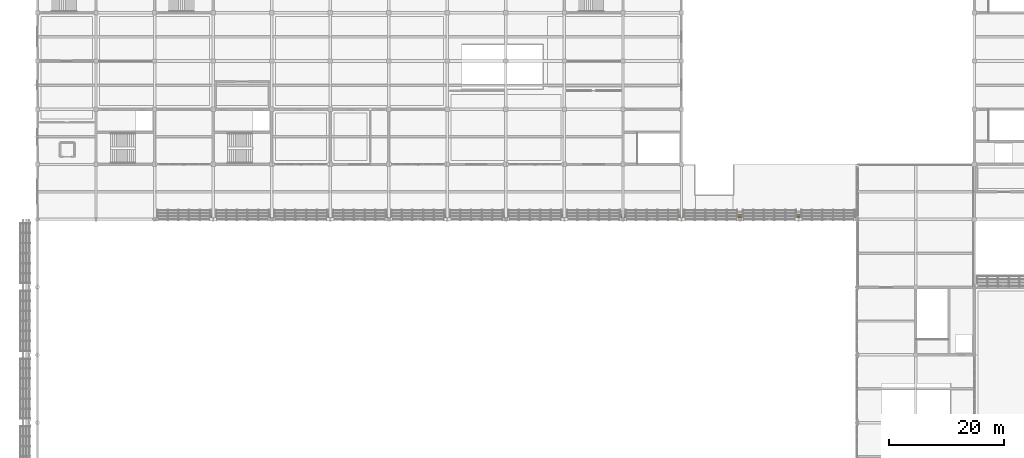
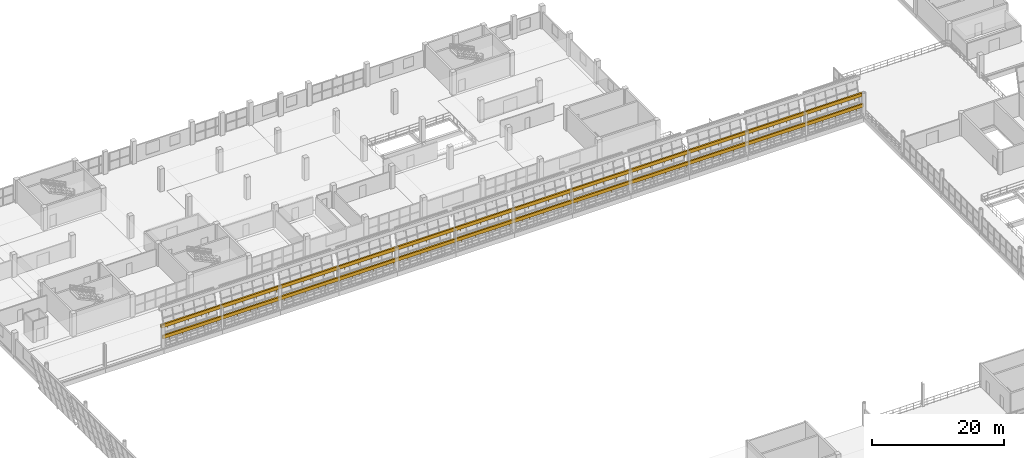
# One storey, part 151 of 157: 2 railings.
"""IFC4 building model written with IfcOpenShell, lengths in metres."""

from ifc_helpers import new_model, si_unit, direction, frame, origin, origin_2d, place, context, subcontext, project, spatial, rectangle, circle, extrude, material, type_object, element, save


model = new_model("IFC4")

# Units and contexts
model_context = context("Model", 3, precision=1e-05, world=origin(), true_north=direction((0.0, 1.0)))
body_context = subcontext(model_context, "Body", "Model", "MODEL_VIEW")
ifc_project = project(units=[si_unit("LENGTHUNIT", "METRE"), si_unit("AREAUNIT", "SQUARE_METRE"), si_unit("VOLUMEUNIT", "CUBIC_METRE"), si_unit("PLANEANGLEUNIT", "RADIAN"), si_unit("MASSUNIT", "GRAM", prefix="KILO")], contexts=[model_context])

# Site, building, storey
site_placement = place(None, origin())
site = spatial("IfcSite", under=ifc_project, at=site_placement, CompositionType="ELEMENT")
building_placement = place(site_placement, origin())
building = spatial("IfcBuilding", under=site, at=building_placement, Name="Brelvane Convention Centre", CompositionType="ELEMENT")
storey_placement = place(building_placement, frame((0.0, 0.0, 10.800048828125)))
storey = spatial("IfcBuildingStorey", under=building, at=storey_placement, Name="L02", CompositionType="ELEMENT", Elevation=10.800048828125)

# Railings
ifc_material = material(Name="Steel E350 (350 MPa)", Category="steel")
railing_type = type_object("IfcRailingType", Name="Railing BL-CU-1", PredefinedType="BALUSTRADE", material=ifc_material)
railing_1_placement = place(storey_placement, frame((20.39990234375, 99.85107421875, 0.89990234375)))
element("IfcRailing", 1, at=railing_1_placement, inside=storey, type_object=railing_type, Name="Railing BL-CU-1 L02-cu_hull_n_4", PredefinedType="BALUSTRADE", context=body_context, shape_type="SweptSolid", body=[
    extrude(rectangle(XDim=0.280029296875, YDim=0.6201171875, at=origin_2d()), frame((0.0, 0.0, 0.81005859375), z_axis=(1.0, 0.0, 0.0), x_axis=(0.0, 1.0, 0.0)), (0.0, 0.0, 1.0), 122.400146484375),
    extrude(circle(Radius=0.02099609375, at=origin_2d()), origin(), (0.0, 0.0, 1.0), 1.072021484375),
    extrude(circle(Radius=0.02099609375, at=origin_2d()), frame((1.188232421875, 0.0, 0.0)), (0.0, 0.0, 1.0), 1.072021484375),
    extrude(circle(Radius=0.02099609375, at=origin_2d()), frame((2.376708984375, 0.0, 0.0)), (0.0, 0.0, 1.0), 1.072021484375),
    extrude(circle(Radius=0.02099609375, at=origin_2d()), frame((3.56494140625, 0.0, 0.0)), (0.0, 0.0, 1.0), 1.072021484375),
    extrude(circle(Radius=0.02099609375, at=origin_2d()), frame((4.75341796875, 0.0, 0.0)), (0.0, 0.0, 1.0), 1.072021484375),
    extrude(circle(Radius=0.02099609375, at=origin_2d()), frame((5.941650390625, 0.0, 0.0)), (0.0, 0.0, 1.0), 1.072021484375),
    extrude(circle(Radius=0.02099609375, at=origin_2d()), frame((7.130126953125, 0.0, 0.0)), (0.0, 0.0, 1.0), 1.072021484375),
    extrude(circle(Radius=0.02099609375, at=origin_2d()), frame((8.318359375, 0.0, 0.0)), (0.0, 0.0, 1.0), 1.072021484375),
    extrude(circle(Radius=0.02099609375, at=origin_2d()), frame((9.5068359375, 0.0, 0.0)), (0.0, 0.0, 1.0), 1.072021484375),
    extrude(circle(Radius=0.02099609375, at=origin_2d()), frame((10.695068359375, 0.0, 0.0)), (0.0, 0.0, 1.0), 1.072021484375),
    extrude(circle(Radius=0.02099609375, at=origin_2d()), frame((11.883544921875, 0.0, 0.0)), (0.0, 0.0, 1.0), 1.072021484375),
    extrude(circle(Radius=0.02099609375, at=origin_2d()), frame((13.07177734375, 0.0, 0.0)), (0.0, 0.0, 1.0), 1.072021484375),
    extrude(circle(Radius=0.02099609375, at=origin_2d()), frame((14.26025390625, 0.0, 0.0)), (0.0, 0.0, 1.0), 1.072021484375),
    extrude(circle(Radius=0.02099609375, at=origin_2d()), frame((15.448486328125, 0.0, 0.0)), (0.0, 0.0, 1.0), 1.072021484375),
    extrude(circle(Radius=0.02099609375, at=origin_2d()), frame((16.636962890625, 0.0, 0.0)), (0.0, 0.0, 1.0), 1.072021484375),
    extrude(circle(Radius=0.02099609375, at=origin_2d()), frame((17.8251953125, 0.0, 0.0)), (0.0, 0.0, 1.0), 1.072021484375),
    extrude(circle(Radius=0.02099609375, at=origin_2d()), frame((19.013671875, 0.0, 0.0)), (0.0, 0.0, 1.0), 1.072021484375),
    extrude(circle(Radius=0.02099609375, at=origin_2d()), frame((20.201904296875, 0.0, 0.0)), (0.0, 0.0, 1.0), 1.072021484375),
    extrude(circle(Radius=0.02099609375, at=origin_2d()), frame((21.390380859375, 0.0, 0.0)), (0.0, 0.0, 1.0), 1.072021484375),
    extrude(circle(Radius=0.02099609375, at=origin_2d()), frame((22.57861328125, 0.0, 0.0)), (0.0, 0.0, 1.0), 1.072021484375),
    extrude(circle(Radius=0.02099609375, at=origin_2d()), frame((23.76708984375, 0.0, 0.0)), (0.0, 0.0, 1.0), 1.072021484375),
    extrude(circle(Radius=0.02099609375, at=origin_2d()), frame((24.955322265625, 0.0, 0.0)), (0.0, 0.0, 1.0), 1.072021484375),
    extrude(circle(Radius=0.02099609375, at=origin_2d()), frame((26.143798828125, 0.0, 0.0)), (0.0, 0.0, 1.0), 1.072021484375),
    extrude(circle(Radius=0.02099609375, at=origin_2d()), frame((27.33203125, 0.0, 0.0)), (0.0, 0.0, 1.0), 1.072021484375),
    extrude(circle(Radius=0.02099609375, at=origin_2d()), frame((28.5205078125, 0.0, 0.0)), (0.0, 0.0, 1.0), 1.072021484375),
    extrude(circle(Radius=0.02099609375, at=origin_2d()), frame((29.708740234375, 0.0, 0.0)), (0.0, 0.0, 1.0), 1.072021484375),
    extrude(circle(Radius=0.02099609375, at=origin_2d()), frame((30.897216796875, 0.0, 0.0)), (0.0, 0.0, 1.0), 1.072021484375),
    extrude(circle(Radius=0.02099609375, at=origin_2d()), frame((32.08544921875, 0.0, 0.0)), (0.0, 0.0, 1.0), 1.072021484375),
    extrude(circle(Radius=0.02099609375, at=origin_2d()), frame((33.27392578125, 0.0, 0.0)), (0.0, 0.0, 1.0), 1.072021484375),
    extrude(circle(Radius=0.02099609375, at=origin_2d()), frame((34.462158203125, 0.0, 0.0)), (0.0, 0.0, 1.0), 1.072021484375),
    extrude(circle(Radius=0.02099609375, at=origin_2d()), frame((35.650634765625, 0.0, 0.0)), (0.0, 0.0, 1.0), 1.072021484375),
    extrude(circle(Radius=0.02099609375, at=origin_2d()), frame((36.8388671875, 0.0, 0.0)), (0.0, 0.0, 1.0), 1.072021484375),
    extrude(circle(Radius=0.02099609375, at=origin_2d()), frame((38.02734375, 0.0, 0.0)), (0.0, 0.0, 1.0), 1.072021484375),
    extrude(circle(Radius=0.02099609375, at=origin_2d()), frame((39.215576171875, 0.0, 0.0)), (0.0, 0.0, 1.0), 1.072021484375),
    extrude(circle(Radius=0.02099609375, at=origin_2d()), frame((40.404052734375, 0.0, 0.0)), (0.0, 0.0, 1.0), 1.072021484375),
    extrude(circle(Radius=0.02099609375, at=origin_2d()), frame((41.59228515625, 0.0, 0.0)), (0.0, 0.0, 1.0), 1.072021484375),
    extrude(circle(Radius=0.02099609375, at=origin_2d()), frame((42.780517578125, 0.0, 0.0)), (0.0, 0.0, 1.0), 1.072021484375),
    extrude(circle(Radius=0.02099609375, at=origin_2d()), frame((43.968994140625, 0.0, 0.0)), (0.0, 0.0, 1.0), 1.072021484375),
    extrude(circle(Radius=0.02099609375, at=origin_2d()), frame((45.1572265625, 0.0, 0.0)), (0.0, 0.0, 1.0), 1.072021484375),
    extrude(circle(Radius=0.02099609375, at=origin_2d()), frame((46.345703125, 0.0, 0.0)), (0.0, 0.0, 1.0), 1.072021484375),
    extrude(circle(Radius=0.02099609375, at=origin_2d()), frame((47.533935546875, 0.0, 0.0)), (0.0, 0.0, 1.0), 1.072021484375),
    extrude(circle(Radius=0.02099609375, at=origin_2d()), frame((48.722412109375, 0.0, 0.0)), (0.0, 0.0, 1.0), 1.072021484375),
    extrude(circle(Radius=0.02099609375, at=origin_2d()), frame((49.91064453125, 0.0, 0.0)), (0.0, 0.0, 1.0), 1.072021484375),
    extrude(circle(Radius=0.02099609375, at=origin_2d()), frame((51.09912109375, 0.0, 0.0)), (0.0, 0.0, 1.0), 1.072021484375),
    extrude(circle(Radius=0.02099609375, at=origin_2d()), frame((52.287353515625, 0.0, 0.0)), (0.0, 0.0, 1.0), 1.072021484375),
    extrude(circle(Radius=0.02099609375, at=origin_2d()), frame((53.475830078125, 0.0, 0.0)), (0.0, 0.0, 1.0), 1.072021484375),
    extrude(circle(Radius=0.02099609375, at=origin_2d()), frame((54.6640625, 0.0, 0.0)), (0.0, 0.0, 1.0), 1.072021484375),
    extrude(circle(Radius=0.02099609375, at=origin_2d()), frame((55.8525390625, 0.0, 0.0)), (0.0, 0.0, 1.0), 1.072021484375),
    extrude(circle(Radius=0.02099609375, at=origin_2d()), frame((57.040771484375, 0.0, 0.0)), (0.0, 0.0, 1.0), 1.072021484375),
    extrude(circle(Radius=0.02099609375, at=origin_2d()), frame((58.229248046875, 0.0, 0.0)), (0.0, 0.0, 1.0), 1.072021484375),
    extrude(circle(Radius=0.02099609375, at=origin_2d()), frame((59.41748046875, 0.0, 0.0)), (0.0, 0.0, 1.0), 1.072021484375),
    extrude(circle(Radius=0.02099609375, at=origin_2d()), frame((60.60595703125, 0.0, 0.0)), (0.0, 0.0, 1.0), 1.072021484375),
    extrude(circle(Radius=0.02099609375, at=origin_2d()), frame((61.794189453125, 0.0, 0.0)), (0.0, 0.0, 1.0), 1.072021484375),
    extrude(circle(Radius=0.02099609375, at=origin_2d()), frame((62.982666015625, 0.0, 0.0)), (0.0, 0.0, 1.0), 1.072021484375),
    extrude(circle(Radius=0.02099609375, at=origin_2d()), frame((64.1708984375, 0.0, 0.0)), (0.0, 0.0, 1.0), 1.072021484375),
    extrude(circle(Radius=0.02099609375, at=origin_2d()), frame((65.359375, 0.0, 0.0)), (0.0, 0.0, 1.0), 1.072021484375),
    extrude(circle(Radius=0.02099609375, at=origin_2d()), frame((66.547607421875, 0.0, 0.0)), (0.0, 0.0, 1.0), 1.072021484375),
    extrude(circle(Radius=0.02099609375, at=origin_2d()), frame((67.736083984375, 0.0, 0.0)), (0.0, 0.0, 1.0), 1.072021484375),
    extrude(circle(Radius=0.02099609375, at=origin_2d()), frame((68.92431640625, 0.0, 0.0)), (0.0, 0.0, 1.0), 1.072021484375),
    extrude(circle(Radius=0.02099609375, at=origin_2d()), frame((70.11279296875, 0.0, 0.0)), (0.0, 0.0, 1.0), 1.072021484375),
    extrude(circle(Radius=0.02099609375, at=origin_2d()), frame((71.301025390625, 0.0, 0.0)), (0.0, 0.0, 1.0), 1.072021484375),
    extrude(circle(Radius=0.02099609375, at=origin_2d()), frame((72.489501953125, 0.0, 0.0)), (0.0, 0.0, 1.0), 1.072021484375),
    extrude(circle(Radius=0.02099609375, at=origin_2d()), frame((73.677734375, 0.0, 0.0)), (0.0, 0.0, 1.0), 1.072021484375),
    extrude(circle(Radius=0.02099609375, at=origin_2d()), frame((74.8662109375, 0.0, 0.0)), (0.0, 0.0, 1.0), 1.072021484375),
    extrude(circle(Radius=0.02099609375, at=origin_2d()), frame((76.054443359375, 0.0, 0.0)), (0.0, 0.0, 1.0), 1.072021484375),
    extrude(circle(Radius=0.02099609375, at=origin_2d()), frame((77.242919921875, 0.0, 0.0)), (0.0, 0.0, 1.0), 1.072021484375),
    extrude(circle(Radius=0.02099609375, at=origin_2d()), frame((78.43115234375, 0.0, 0.0)), (0.0, 0.0, 1.0), 1.072021484375),
    extrude(circle(Radius=0.02099609375, at=origin_2d()), frame((79.61962890625, 0.0, 0.0)), (0.0, 0.0, 1.0), 1.072021484375),
    extrude(circle(Radius=0.02099609375, at=origin_2d()), frame((80.807861328125, 0.0, 0.0)), (0.0, 0.0, 1.0), 1.072021484375),
    extrude(circle(Radius=0.02099609375, at=origin_2d()), frame((81.99609375, 0.0, 0.0)), (0.0, 0.0, 1.0), 1.072021484375),
    extrude(circle(Radius=0.02099609375, at=origin_2d()), frame((83.1845703125, 0.0, 0.0)), (0.0, 0.0, 1.0), 1.072021484375),
    extrude(circle(Radius=0.02099609375, at=origin_2d()), frame((84.372802734375, 0.0, 0.0)), (0.0, 0.0, 1.0), 1.072021484375),
    extrude(circle(Radius=0.02099609375, at=origin_2d()), frame((85.561279296875, 0.0, 0.0)), (0.0, 0.0, 1.0), 1.072021484375),
    extrude(circle(Radius=0.02099609375, at=origin_2d()), frame((86.74951171875, 0.0, 0.0)), (0.0, 0.0, 1.0), 1.072021484375),
    extrude(circle(Radius=0.02099609375, at=origin_2d()), frame((87.93798828125, 0.0, 0.0)), (0.0, 0.0, 1.0), 1.072021484375),
    extrude(circle(Radius=0.02099609375, at=origin_2d()), frame((89.126220703125, 0.0, 0.0)), (0.0, 0.0, 1.0), 1.072021484375),
    extrude(circle(Radius=0.02099609375, at=origin_2d()), frame((90.314697265625, 0.0, 0.0)), (0.0, 0.0, 1.0), 1.072021484375),
    extrude(circle(Radius=0.02099609375, at=origin_2d()), frame((91.5029296875, 0.0, 0.0)), (0.0, 0.0, 1.0), 1.072021484375),
    extrude(circle(Radius=0.02099609375, at=origin_2d()), frame((92.69140625, 0.0, 0.0)), (0.0, 0.0, 1.0), 1.072021484375),
    extrude(circle(Radius=0.02099609375, at=origin_2d()), frame((93.879638671875, 0.0, 0.0)), (0.0, 0.0, 1.0), 1.072021484375),
    extrude(circle(Radius=0.02099609375, at=origin_2d()), frame((95.068115234375, 0.0, 0.0)), (0.0, 0.0, 1.0), 1.072021484375),
    extrude(circle(Radius=0.02099609375, at=origin_2d()), frame((96.25634765625, 0.0, 0.0)), (0.0, 0.0, 1.0), 1.072021484375),
    extrude(circle(Radius=0.02099609375, at=origin_2d()), frame((97.44482421875, 0.0, 0.0)), (0.0, 0.0, 1.0), 1.072021484375),
    extrude(circle(Radius=0.02099609375, at=origin_2d()), frame((98.633056640625, 0.0, 0.0)), (0.0, 0.0, 1.0), 1.072021484375),
    extrude(circle(Radius=0.02099609375, at=origin_2d()), frame((99.821533203125, 0.0, 0.0)), (0.0, 0.0, 1.0), 1.072021484375),
    extrude(circle(Radius=0.02099609375, at=origin_2d()), frame((101.009765625, 0.0, 0.0)), (0.0, 0.0, 1.0), 1.072021484375),
    extrude(circle(Radius=0.02099609375, at=origin_2d()), frame((102.1982421875, 0.0, 0.0)), (0.0, 0.0, 1.0), 1.072021484375),
    extrude(circle(Radius=0.02099609375, at=origin_2d()), frame((103.386474609375, 0.0, 0.0)), (0.0, 0.0, 1.0), 1.072021484375),
    extrude(circle(Radius=0.02099609375, at=origin_2d()), frame((104.574951171875, 0.0, 0.0)), (0.0, 0.0, 1.0), 1.072021484375),
    extrude(circle(Radius=0.02099609375, at=origin_2d()), frame((105.76318359375, 0.0, 0.0)), (0.0, 0.0, 1.0), 1.072021484375),
    extrude(circle(Radius=0.02099609375, at=origin_2d()), frame((106.95166015625, 0.0, 0.0)), (0.0, 0.0, 1.0), 1.072021484375),
    extrude(circle(Radius=0.02099609375, at=origin_2d()), frame((108.139892578125, 0.0, 0.0)), (0.0, 0.0, 1.0), 1.072021484375),
    extrude(circle(Radius=0.02099609375, at=origin_2d()), frame((109.328369140625, 0.0, 0.0)), (0.0, 0.0, 1.0), 1.072021484375),
    extrude(circle(Radius=0.02099609375, at=origin_2d()), frame((110.5166015625, 0.0, 0.0)), (0.0, 0.0, 1.0), 1.072021484375),
    extrude(circle(Radius=0.02099609375, at=origin_2d()), frame((111.705078125, 0.0, 0.0)), (0.0, 0.0, 1.0), 1.072021484375),
    extrude(circle(Radius=0.02099609375, at=origin_2d()), frame((112.893310546875, 0.0, 0.0)), (0.0, 0.0, 1.0), 1.072021484375),
    extrude(circle(Radius=0.02099609375, at=origin_2d()), frame((114.081787109375, 0.0, 0.0)), (0.0, 0.0, 1.0), 1.072021484375),
    extrude(circle(Radius=0.02099609375, at=origin_2d()), frame((115.27001953125, 0.0, 0.0)), (0.0, 0.0, 1.0), 1.072021484375),
    extrude(circle(Radius=0.02099609375, at=origin_2d()), frame((116.45849609375, 0.0, 0.0)), (0.0, 0.0, 1.0), 1.072021484375),
    extrude(circle(Radius=0.02099609375, at=origin_2d()), frame((117.646728515625, 0.0, 0.0)), (0.0, 0.0, 1.0), 1.072021484375),
    extrude(circle(Radius=0.02099609375, at=origin_2d()), frame((118.835205078125, 0.0, 0.0)), (0.0, 0.0, 1.0), 1.072021484375),
    extrude(circle(Radius=0.02099609375, at=origin_2d()), frame((120.0234375, 0.0, 0.0)), (0.0, 0.0, 1.0), 1.072021484375),
    extrude(circle(Radius=0.02099609375, at=origin_2d()), frame((121.2119140625, 0.0, 0.0)), (0.0, 0.0, 1.0), 1.072021484375),
    extrude(circle(Radius=0.02099609375, at=origin_2d()), frame((122.400146484375, 0.0, 0.0)), (0.0, 0.0, 1.0), 1.072021484375),
])
railing_2_placement = place(storey_placement, frame((20.39990234375, 100.261962890625, 2.64990234375)))
element("IfcRailing", 2, at=railing_2_placement, inside=storey, type_object=railing_type, Name="Railing BL-CU-1 L02-cu_hull_n_5", PredefinedType="BALUSTRADE", context=body_context, shape_type="SweptSolid", body=[
    extrude(rectangle(XDim=0.280029296875, YDim=0.6201171875, at=origin_2d()), frame((0.0, 0.0, 0.81005859375), z_axis=(1.0, 0.0, 0.0), x_axis=(0.0, 1.0, 0.0)), (0.0, 0.0, 1.0), 122.400146484375),
    extrude(circle(Radius=0.02099609375, at=origin_2d()), origin(), (0.0, 0.0, 1.0), 1.072021484375),
    extrude(circle(Radius=0.02099609375, at=origin_2d()), frame((1.188232421875, 0.0, 0.0)), (0.0, 0.0, 1.0), 1.072021484375),
    extrude(circle(Radius=0.02099609375, at=origin_2d()), frame((2.376708984375, 0.0, 0.0)), (0.0, 0.0, 1.0), 1.072021484375),
    extrude(circle(Radius=0.02099609375, at=origin_2d()), frame((3.56494140625, 0.0, 0.0)), (0.0, 0.0, 1.0), 1.072021484375),
    extrude(circle(Radius=0.02099609375, at=origin_2d()), frame((4.75341796875, 0.0, 0.0)), (0.0, 0.0, 1.0), 1.072021484375),
    extrude(circle(Radius=0.02099609375, at=origin_2d()), frame((5.941650390625, 0.0, 0.0)), (0.0, 0.0, 1.0), 1.072021484375),
    extrude(circle(Radius=0.02099609375, at=origin_2d()), frame((7.130126953125, 0.0, 0.0)), (0.0, 0.0, 1.0), 1.072021484375),
    extrude(circle(Radius=0.02099609375, at=origin_2d()), frame((8.318359375, 0.0, 0.0)), (0.0, 0.0, 1.0), 1.072021484375),
    extrude(circle(Radius=0.02099609375, at=origin_2d()), frame((9.5068359375, 0.0, 0.0)), (0.0, 0.0, 1.0), 1.072021484375),
    extrude(circle(Radius=0.02099609375, at=origin_2d()), frame((10.695068359375, 0.0, 0.0)), (0.0, 0.0, 1.0), 1.072021484375),
    extrude(circle(Radius=0.02099609375, at=origin_2d()), frame((11.883544921875, 0.0, 0.0)), (0.0, 0.0, 1.0), 1.072021484375),
    extrude(circle(Radius=0.02099609375, at=origin_2d()), frame((13.07177734375, 0.0, 0.0)), (0.0, 0.0, 1.0), 1.072021484375),
    extrude(circle(Radius=0.02099609375, at=origin_2d()), frame((14.26025390625, 0.0, 0.0)), (0.0, 0.0, 1.0), 1.072021484375),
    extrude(circle(Radius=0.02099609375, at=origin_2d()), frame((15.448486328125, 0.0, 0.0)), (0.0, 0.0, 1.0), 1.072021484375),
    extrude(circle(Radius=0.02099609375, at=origin_2d()), frame((16.636962890625, 0.0, 0.0)), (0.0, 0.0, 1.0), 1.072021484375),
    extrude(circle(Radius=0.02099609375, at=origin_2d()), frame((17.8251953125, 0.0, 0.0)), (0.0, 0.0, 1.0), 1.072021484375),
    extrude(circle(Radius=0.02099609375, at=origin_2d()), frame((19.013671875, 0.0, 0.0)), (0.0, 0.0, 1.0), 1.072021484375),
    extrude(circle(Radius=0.02099609375, at=origin_2d()), frame((20.201904296875, 0.0, 0.0)), (0.0, 0.0, 1.0), 1.072021484375),
    extrude(circle(Radius=0.02099609375, at=origin_2d()), frame((21.390380859375, 0.0, 0.0)), (0.0, 0.0, 1.0), 1.072021484375),
    extrude(circle(Radius=0.02099609375, at=origin_2d()), frame((22.57861328125, 0.0, 0.0)), (0.0, 0.0, 1.0), 1.072021484375),
    extrude(circle(Radius=0.02099609375, at=origin_2d()), frame((23.76708984375, 0.0, 0.0)), (0.0, 0.0, 1.0), 1.072021484375),
    extrude(circle(Radius=0.02099609375, at=origin_2d()), frame((24.955322265625, 0.0, 0.0)), (0.0, 0.0, 1.0), 1.072021484375),
    extrude(circle(Radius=0.02099609375, at=origin_2d()), frame((26.143798828125, 0.0, 0.0)), (0.0, 0.0, 1.0), 1.072021484375),
    extrude(circle(Radius=0.02099609375, at=origin_2d()), frame((27.33203125, 0.0, 0.0)), (0.0, 0.0, 1.0), 1.072021484375),
    extrude(circle(Radius=0.02099609375, at=origin_2d()), frame((28.5205078125, 0.0, 0.0)), (0.0, 0.0, 1.0), 1.072021484375),
    extrude(circle(Radius=0.02099609375, at=origin_2d()), frame((29.708740234375, 0.0, 0.0)), (0.0, 0.0, 1.0), 1.072021484375),
    extrude(circle(Radius=0.02099609375, at=origin_2d()), frame((30.897216796875, 0.0, 0.0)), (0.0, 0.0, 1.0), 1.072021484375),
    extrude(circle(Radius=0.02099609375, at=origin_2d()), frame((32.08544921875, 0.0, 0.0)), (0.0, 0.0, 1.0), 1.072021484375),
    extrude(circle(Radius=0.02099609375, at=origin_2d()), frame((33.27392578125, 0.0, 0.0)), (0.0, 0.0, 1.0), 1.072021484375),
    extrude(circle(Radius=0.02099609375, at=origin_2d()), frame((34.462158203125, 0.0, 0.0)), (0.0, 0.0, 1.0), 1.072021484375),
    extrude(circle(Radius=0.02099609375, at=origin_2d()), frame((35.650634765625, 0.0, 0.0)), (0.0, 0.0, 1.0), 1.072021484375),
    extrude(circle(Radius=0.02099609375, at=origin_2d()), frame((36.8388671875, 0.0, 0.0)), (0.0, 0.0, 1.0), 1.072021484375),
    extrude(circle(Radius=0.02099609375, at=origin_2d()), frame((38.02734375, 0.0, 0.0)), (0.0, 0.0, 1.0), 1.072021484375),
    extrude(circle(Radius=0.02099609375, at=origin_2d()), frame((39.215576171875, 0.0, 0.0)), (0.0, 0.0, 1.0), 1.072021484375),
    extrude(circle(Radius=0.02099609375, at=origin_2d()), frame((40.404052734375, 0.0, 0.0)), (0.0, 0.0, 1.0), 1.072021484375),
    extrude(circle(Radius=0.02099609375, at=origin_2d()), frame((41.59228515625, 0.0, 0.0)), (0.0, 0.0, 1.0), 1.072021484375),
    extrude(circle(Radius=0.02099609375, at=origin_2d()), frame((42.780517578125, 0.0, 0.0)), (0.0, 0.0, 1.0), 1.072021484375),
    extrude(circle(Radius=0.02099609375, at=origin_2d()), frame((43.968994140625, 0.0, 0.0)), (0.0, 0.0, 1.0), 1.072021484375),
    extrude(circle(Radius=0.02099609375, at=origin_2d()), frame((45.1572265625, 0.0, 0.0)), (0.0, 0.0, 1.0), 1.072021484375),
    extrude(circle(Radius=0.02099609375, at=origin_2d()), frame((46.345703125, 0.0, 0.0)), (0.0, 0.0, 1.0), 1.072021484375),
    extrude(circle(Radius=0.02099609375, at=origin_2d()), frame((47.533935546875, 0.0, 0.0)), (0.0, 0.0, 1.0), 1.072021484375),
    extrude(circle(Radius=0.02099609375, at=origin_2d()), frame((48.722412109375, 0.0, 0.0)), (0.0, 0.0, 1.0), 1.072021484375),
    extrude(circle(Radius=0.02099609375, at=origin_2d()), frame((49.91064453125, 0.0, 0.0)), (0.0, 0.0, 1.0), 1.072021484375),
    extrude(circle(Radius=0.02099609375, at=origin_2d()), frame((51.09912109375, 0.0, 0.0)), (0.0, 0.0, 1.0), 1.072021484375),
    extrude(circle(Radius=0.02099609375, at=origin_2d()), frame((52.287353515625, 0.0, 0.0)), (0.0, 0.0, 1.0), 1.072021484375),
    extrude(circle(Radius=0.02099609375, at=origin_2d()), frame((53.475830078125, 0.0, 0.0)), (0.0, 0.0, 1.0), 1.072021484375),
    extrude(circle(Radius=0.02099609375, at=origin_2d()), frame((54.6640625, 0.0, 0.0)), (0.0, 0.0, 1.0), 1.072021484375),
    extrude(circle(Radius=0.02099609375, at=origin_2d()), frame((55.8525390625, 0.0, 0.0)), (0.0, 0.0, 1.0), 1.072021484375),
    extrude(circle(Radius=0.02099609375, at=origin_2d()), frame((57.040771484375, 0.0, 0.0)), (0.0, 0.0, 1.0), 1.072021484375),
    extrude(circle(Radius=0.02099609375, at=origin_2d()), frame((58.229248046875, 0.0, 0.0)), (0.0, 0.0, 1.0), 1.072021484375),
    extrude(circle(Radius=0.02099609375, at=origin_2d()), frame((59.41748046875, 0.0, 0.0)), (0.0, 0.0, 1.0), 1.072021484375),
    extrude(circle(Radius=0.02099609375, at=origin_2d()), frame((60.60595703125, 0.0, 0.0)), (0.0, 0.0, 1.0), 1.072021484375),
    extrude(circle(Radius=0.02099609375, at=origin_2d()), frame((61.794189453125, 0.0, 0.0)), (0.0, 0.0, 1.0), 1.072021484375),
    extrude(circle(Radius=0.02099609375, at=origin_2d()), frame((62.982666015625, 0.0, 0.0)), (0.0, 0.0, 1.0), 1.072021484375),
    extrude(circle(Radius=0.02099609375, at=origin_2d()), frame((64.1708984375, 0.0, 0.0)), (0.0, 0.0, 1.0), 1.072021484375),
    extrude(circle(Radius=0.02099609375, at=origin_2d()), frame((65.359375, 0.0, 0.0)), (0.0, 0.0, 1.0), 1.072021484375),
    extrude(circle(Radius=0.02099609375, at=origin_2d()), frame((66.547607421875, 0.0, 0.0)), (0.0, 0.0, 1.0), 1.072021484375),
    extrude(circle(Radius=0.02099609375, at=origin_2d()), frame((67.736083984375, 0.0, 0.0)), (0.0, 0.0, 1.0), 1.072021484375),
    extrude(circle(Radius=0.02099609375, at=origin_2d()), frame((68.92431640625, 0.0, 0.0)), (0.0, 0.0, 1.0), 1.072021484375),
    extrude(circle(Radius=0.02099609375, at=origin_2d()), frame((70.11279296875, 0.0, 0.0)), (0.0, 0.0, 1.0), 1.072021484375),
    extrude(circle(Radius=0.02099609375, at=origin_2d()), frame((71.301025390625, 0.0, 0.0)), (0.0, 0.0, 1.0), 1.072021484375),
    extrude(circle(Radius=0.02099609375, at=origin_2d()), frame((72.489501953125, 0.0, 0.0)), (0.0, 0.0, 1.0), 1.072021484375),
    extrude(circle(Radius=0.02099609375, at=origin_2d()), frame((73.677734375, 0.0, 0.0)), (0.0, 0.0, 1.0), 1.072021484375),
    extrude(circle(Radius=0.02099609375, at=origin_2d()), frame((74.8662109375, 0.0, 0.0)), (0.0, 0.0, 1.0), 1.072021484375),
    extrude(circle(Radius=0.02099609375, at=origin_2d()), frame((76.054443359375, 0.0, 0.0)), (0.0, 0.0, 1.0), 1.072021484375),
    extrude(circle(Radius=0.02099609375, at=origin_2d()), frame((77.242919921875, 0.0, 0.0)), (0.0, 0.0, 1.0), 1.072021484375),
    extrude(circle(Radius=0.02099609375, at=origin_2d()), frame((78.43115234375, 0.0, 0.0)), (0.0, 0.0, 1.0), 1.072021484375),
    extrude(circle(Radius=0.02099609375, at=origin_2d()), frame((79.61962890625, 0.0, 0.0)), (0.0, 0.0, 1.0), 1.072021484375),
    extrude(circle(Radius=0.02099609375, at=origin_2d()), frame((80.807861328125, 0.0, 0.0)), (0.0, 0.0, 1.0), 1.072021484375),
    extrude(circle(Radius=0.02099609375, at=origin_2d()), frame((81.99609375, 0.0, 0.0)), (0.0, 0.0, 1.0), 1.072021484375),
    extrude(circle(Radius=0.02099609375, at=origin_2d()), frame((83.1845703125, 0.0, 0.0)), (0.0, 0.0, 1.0), 1.072021484375),
    extrude(circle(Radius=0.02099609375, at=origin_2d()), frame((84.372802734375, 0.0, 0.0)), (0.0, 0.0, 1.0), 1.072021484375),
    extrude(circle(Radius=0.02099609375, at=origin_2d()), frame((85.561279296875, 0.0, 0.0)), (0.0, 0.0, 1.0), 1.072021484375),
    extrude(circle(Radius=0.02099609375, at=origin_2d()), frame((86.74951171875, 0.0, 0.0)), (0.0, 0.0, 1.0), 1.072021484375),
    extrude(circle(Radius=0.02099609375, at=origin_2d()), frame((87.93798828125, 0.0, 0.0)), (0.0, 0.0, 1.0), 1.072021484375),
    extrude(circle(Radius=0.02099609375, at=origin_2d()), frame((89.126220703125, 0.0, 0.0)), (0.0, 0.0, 1.0), 1.072021484375),
    extrude(circle(Radius=0.02099609375, at=origin_2d()), frame((90.314697265625, 0.0, 0.0)), (0.0, 0.0, 1.0), 1.072021484375),
    extrude(circle(Radius=0.02099609375, at=origin_2d()), frame((91.5029296875, 0.0, 0.0)), (0.0, 0.0, 1.0), 1.072021484375),
    extrude(circle(Radius=0.02099609375, at=origin_2d()), frame((92.69140625, 0.0, 0.0)), (0.0, 0.0, 1.0), 1.072021484375),
    extrude(circle(Radius=0.02099609375, at=origin_2d()), frame((93.879638671875, 0.0, 0.0)), (0.0, 0.0, 1.0), 1.072021484375),
    extrude(circle(Radius=0.02099609375, at=origin_2d()), frame((95.068115234375, 0.0, 0.0)), (0.0, 0.0, 1.0), 1.072021484375),
    extrude(circle(Radius=0.02099609375, at=origin_2d()), frame((96.25634765625, 0.0, 0.0)), (0.0, 0.0, 1.0), 1.072021484375),
    extrude(circle(Radius=0.02099609375, at=origin_2d()), frame((97.44482421875, 0.0, 0.0)), (0.0, 0.0, 1.0), 1.072021484375),
    extrude(circle(Radius=0.02099609375, at=origin_2d()), frame((98.633056640625, 0.0, 0.0)), (0.0, 0.0, 1.0), 1.072021484375),
    extrude(circle(Radius=0.02099609375, at=origin_2d()), frame((99.821533203125, 0.0, 0.0)), (0.0, 0.0, 1.0), 1.072021484375),
    extrude(circle(Radius=0.02099609375, at=origin_2d()), frame((101.009765625, 0.0, 0.0)), (0.0, 0.0, 1.0), 1.072021484375),
    extrude(circle(Radius=0.02099609375, at=origin_2d()), frame((102.1982421875, 0.0, 0.0)), (0.0, 0.0, 1.0), 1.072021484375),
    extrude(circle(Radius=0.02099609375, at=origin_2d()), frame((103.386474609375, 0.0, 0.0)), (0.0, 0.0, 1.0), 1.072021484375),
    extrude(circle(Radius=0.02099609375, at=origin_2d()), frame((104.574951171875, 0.0, 0.0)), (0.0, 0.0, 1.0), 1.072021484375),
    extrude(circle(Radius=0.02099609375, at=origin_2d()), frame((105.76318359375, 0.0, 0.0)), (0.0, 0.0, 1.0), 1.072021484375),
    extrude(circle(Radius=0.02099609375, at=origin_2d()), frame((106.95166015625, 0.0, 0.0)), (0.0, 0.0, 1.0), 1.072021484375),
    extrude(circle(Radius=0.02099609375, at=origin_2d()), frame((108.139892578125, 0.0, 0.0)), (0.0, 0.0, 1.0), 1.072021484375),
    extrude(circle(Radius=0.02099609375, at=origin_2d()), frame((109.328369140625, 0.0, 0.0)), (0.0, 0.0, 1.0), 1.072021484375),
    extrude(circle(Radius=0.02099609375, at=origin_2d()), frame((110.5166015625, 0.0, 0.0)), (0.0, 0.0, 1.0), 1.072021484375),
    extrude(circle(Radius=0.02099609375, at=origin_2d()), frame((111.705078125, 0.0, 0.0)), (0.0, 0.0, 1.0), 1.072021484375),
    extrude(circle(Radius=0.02099609375, at=origin_2d()), frame((112.893310546875, 0.0, 0.0)), (0.0, 0.0, 1.0), 1.072021484375),
    extrude(circle(Radius=0.02099609375, at=origin_2d()), frame((114.081787109375, 0.0, 0.0)), (0.0, 0.0, 1.0), 1.072021484375),
    extrude(circle(Radius=0.02099609375, at=origin_2d()), frame((115.27001953125, 0.0, 0.0)), (0.0, 0.0, 1.0), 1.072021484375),
    extrude(circle(Radius=0.02099609375, at=origin_2d()), frame((116.45849609375, 0.0, 0.0)), (0.0, 0.0, 1.0), 1.072021484375),
    extrude(circle(Radius=0.02099609375, at=origin_2d()), frame((117.646728515625, 0.0, 0.0)), (0.0, 0.0, 1.0), 1.072021484375),
    extrude(circle(Radius=0.02099609375, at=origin_2d()), frame((118.835205078125, 0.0, 0.0)), (0.0, 0.0, 1.0), 1.072021484375),
    extrude(circle(Radius=0.02099609375, at=origin_2d()), frame((120.0234375, 0.0, 0.0)), (0.0, 0.0, 1.0), 1.072021484375),
    extrude(circle(Radius=0.02099609375, at=origin_2d()), frame((121.2119140625, 0.0, 0.0)), (0.0, 0.0, 1.0), 1.072021484375),
    extrude(circle(Radius=0.02099609375, at=origin_2d()), frame((122.400146484375, 0.0, 0.0)), (0.0, 0.0, 1.0), 1.072021484375),
])

save(model, "model.ifc")
